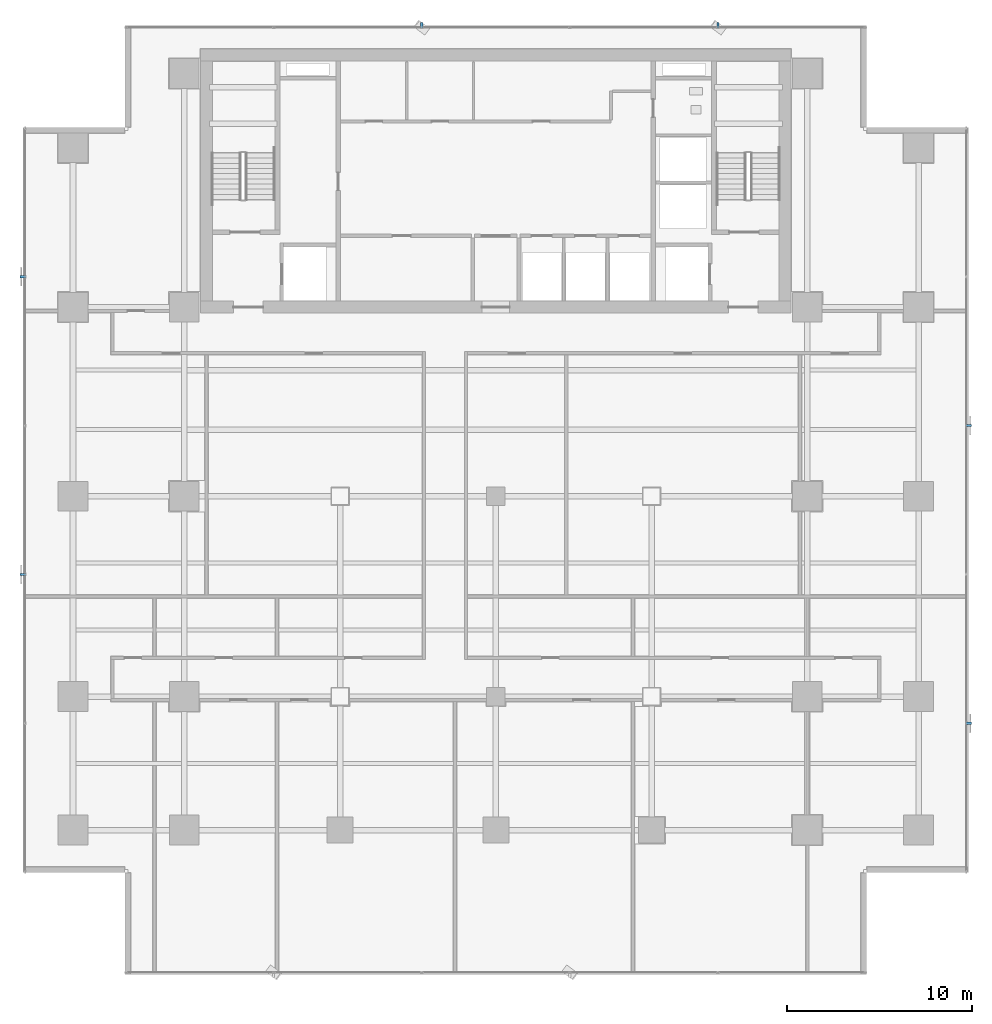
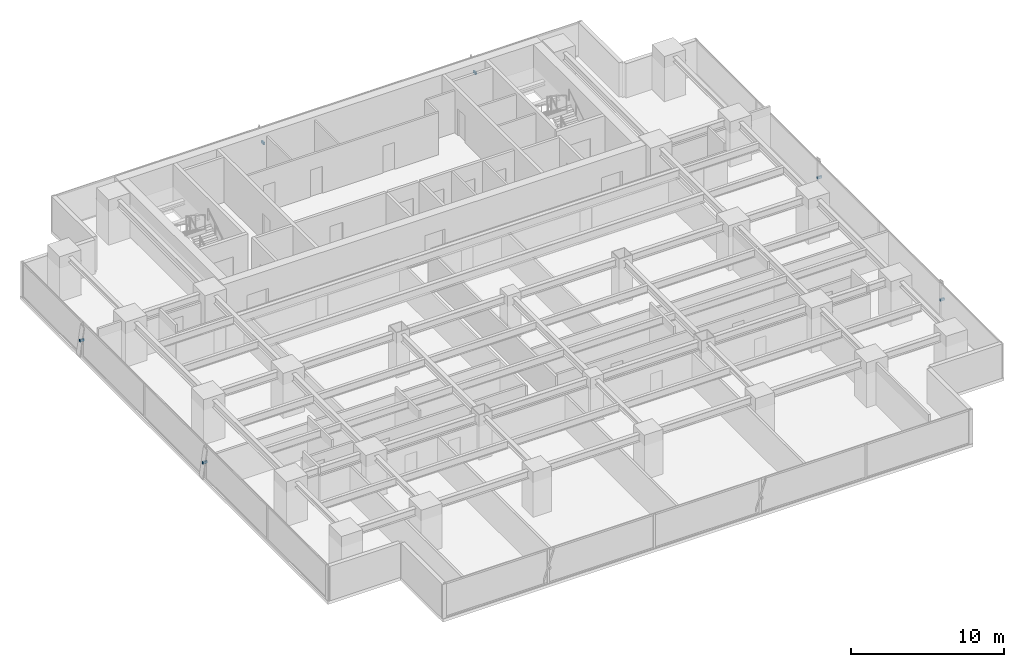
# One storey, part 29 of 34: 6 discrete accessories.
"""IFC4 building model written with IfcOpenShell, lengths in metres."""

from ifc_helpers import new_model, si_unit, direction, frame, origin, origin_2d, place, context, subcontext, project, spatial, rectangle, extrude, source, transform, mapped, material, material_profile, profile_set, type_object, element, save


model = new_model("IFC4")

# Units and contexts
model_context = context("Model", 3, precision=1e-05, world=origin(), true_north=direction((0.0, 1.0)))
body_context = subcontext(model_context, "Body", "Model", "MODEL_VIEW")
ifc_project = project(units=[si_unit("LENGTHUNIT", "METRE"), si_unit("AREAUNIT", "SQUARE_METRE"), si_unit("VOLUMEUNIT", "CUBIC_METRE"), si_unit("PLANEANGLEUNIT", "RADIAN"), si_unit("MASSUNIT", "GRAM", prefix="KILO")], contexts=[model_context])

# Site, building, storey
site_placement = place(None, origin())
site = spatial("IfcSite", under=ifc_project, at=site_placement, CompositionType="ELEMENT")
building_placement = place(site_placement, origin())
building = spatial("IfcBuilding", under=site, at=building_placement, Name="Sumidabori Civic Tower", CompositionType="ELEMENT")
storey_placement = place(building_placement, frame((0.0, 0.0, 106.39990234375)))
storey = spatial("IfcBuildingStorey", under=building, at=storey_placement, Name="L27", CompositionType="ELEMENT", Elevation=106.39990234375)

# Discrete accessories
ifc_material = material(Name="Stainless Steel Hairline Finish", Category="steel")
ifc_material_profile = material_profile(ifc_material, rectangle(XDim=0.1201171875, YDim=0.179931640625, at=origin_2d()), Name="STEEL BRACKET 180x120")
ifc_profile_set = profile_set([ifc_material_profile], Name="Stainless Steel Hairline Finish")
discrete_accessory_type = type_object("IfcDiscreteAccessoryType", Name="AC-BRK-180", PredefinedType="BRACKET", material=ifc_profile_set)
shared_shape_1 = source(origin(), body_context, "Body", "SweptSolid", [
    extrude(rectangle(XDim=0.1201171875, YDim=0.179931640625, at=origin_2d()), origin(), (0.0, 0.0, 1.0), 0.329833984375),
])
for number, where, z_axis, x_axis, name in (
    (1, (25.330078125, -12.241943359375, 1.360107421875), (1.0, 0.0, 0.0), (0.0, 1.0, 0.0), "Bronze Fin Fixing Bracket L27-01"),
    (2, (25.330078125, 3.81396484375, 1.360107421875), (1.0, 0.0, 0.0), (0.0, 1.0, 0.0), "Bronze Fin Fixing Bracket L27-03"),
    (3, (-25.330078125, 11.842041015625, 1.360107421875), (-1.0, 0.0, 0.0), (0.0, -1.0, 0.0), "Bronze Fin Fixing Bracket L27-01"),
    (4, (-25.330078125, -4.214111328125, 1.360107421875), (-1.0, 0.0, 0.0), (0.0, -1.0, 0.0), "Bronze Fin Fixing Bracket L27-03"),
):
    element("IfcDiscreteAccessory", number, at=place(storey_placement, frame(where, z_axis=z_axis, x_axis=x_axis)), inside=storey, type_object=discrete_accessory_type, Name=name, PredefinedType="BRACKET", context=body_context, shape_type="MappedRepresentation", body=[
        mapped(shared_shape_1, transform((0.0, 0.0, 0.0), x_axis=(1.0, 0.0, 0.0), y_axis=(0.0, 1.0, 0.0), z_axis=(0.0, 0.0, 1.0), scale=1.0)),
    ])
shared_shape_2 = source(origin(), body_context, "Body", "SweptSolid", [
    extrude(rectangle(XDim=0.1201171875, YDim=0.179931640625, at=origin_2d()), origin(), (0.0, 0.0, 1.0), 0.330078125),
])
for number, where, z_axis, x_axis, name in (
    (5, (11.98193359375, 25.22998046875, 1.360107421875), (0.0, 1.0, 0.0), (-1.0, 0.0, 0.0), "Bronze Fin Fixing Bracket L27-01"),
    (6, (-3.993896484375, 25.22998046875, 1.360107421875), (0.0, 1.0, 0.0), (-1.0, 0.0, 0.0), "Bronze Fin Fixing Bracket L27-03"),
):
    element("IfcDiscreteAccessory", number, at=place(storey_placement, frame(where, z_axis=z_axis, x_axis=x_axis)), inside=storey, type_object=discrete_accessory_type, Name=name, PredefinedType="BRACKET", context=body_context, shape_type="MappedRepresentation", body=[
        mapped(shared_shape_2, transform((0.0, 0.0, 0.0), x_axis=(1.0, 0.0, 0.0), y_axis=(0.0, 1.0, 0.0), z_axis=(0.0, 0.0, 1.0), scale=1.0)),
    ])

save(model, "model.ifc")
